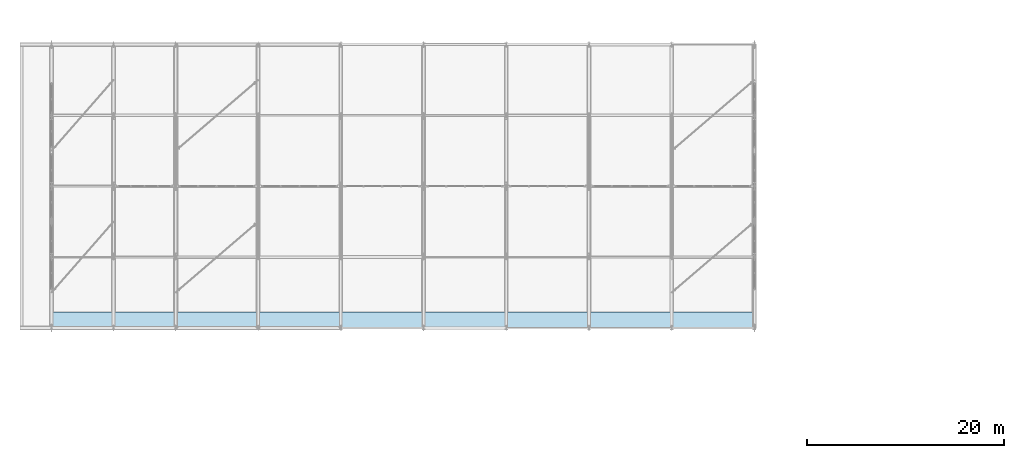
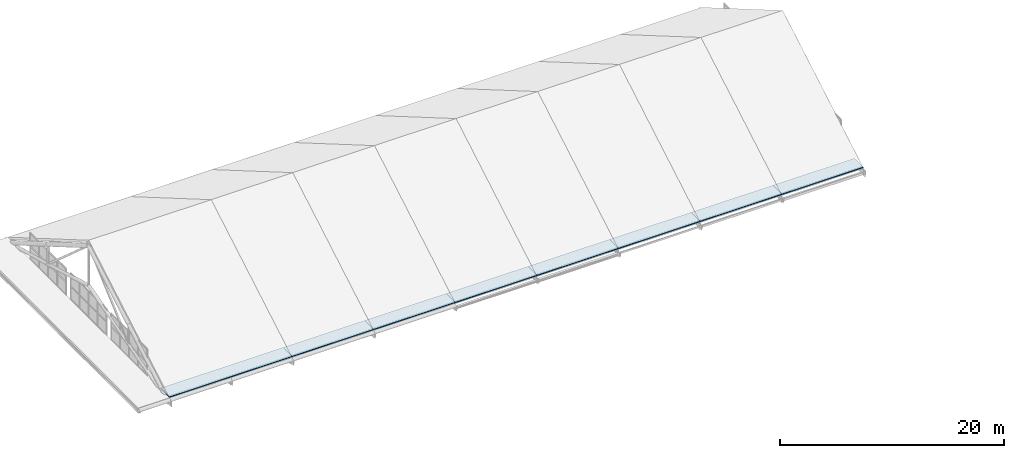
# One storey, part 53 of 54: 8 roofs.
"""IFC4 building model written with IfcOpenShell, lengths in metres."""

import ifcopenshell
import ifcopenshell.guid

model = None  # the IFC model being written
_history = None  # IfcOwnerHistory: only IFC2X3 demands one
_inside = {}  # id of a spatial element -> (the spatial element, [elements in it])
_under = {}  # id of a project, library or spatial element -> (it, [spatial elements below it])
_declared = {}  # id of a project -> (the project, [libraries it declares])
_typed = {}  # id of a type object -> (the type object, [elements of that type])
_made_of = {}  # id of a material, layer set ... -> (it, [elements and type objects made of it])


def new_model(schema):
    """Start an empty IFC model of exactly this schema.

    Asked for "IFC4X3", IfcOpenShell would pick the latest addendum, in which some entities
    have other attributes; the version numbers below select the first issue.
    IFC2X3 requires an IfcOwnerHistory on every rooted entity: one is made here for all.
    """
    global model, _history
    if schema == "IFC4X3":
        model = ifcopenshell.file(schema_version=(4, 3, 0, 0))
    else:
        model = ifcopenshell.file(schema=schema)
    _inside.clear()
    _under.clear()
    _declared.clear()
    _typed.clear()
    _made_of.clear()
    _history = None
    if model.schema == "IFC2X3":
        org = make("IfcOrganization", Name="unknown")
        user = make(
            "IfcPersonAndOrganization",
            ThePerson=make("IfcPerson", FamilyName="unknown"),
            TheOrganization=org,
        )
        app = make(
            "IfcApplication",
            ApplicationDeveloper=org,
            Version="unknown",
            ApplicationFullName="unknown",
            ApplicationIdentifier="unknown",
        )
        _history = make(
            "IfcOwnerHistory",
            OwningUser=user,
            OwningApplication=app,
            ChangeAction="ADDED",
            CreationDate=0,
        )
    return model


def make(cls, **values):
    """One entity of the class cls with the attributes given. An attribute that is None is left unset."""
    return model.create_entity(
        cls, **{name: value for name, value in values.items() if value is not None}
    )


def rooted(cls, **values):
    """An entity with a GlobalId (a new one), such as an element, a storey or a relation."""
    return make(cls, GlobalId=ifcopenshell.guid.new(), OwnerHistory=_history, **values)


def si_unit(unit_type, name, prefix=None):
    """IfcSIUnit, for example si_unit("LENGTHUNIT", "METRE", prefix="MILLI")."""
    return make("IfcSIUnit", UnitType=unit_type, Prefix=prefix, Name=name)


def assignment(units):
    """IfcUnitAssignment: the units of a project."""
    return None if units is None else make("IfcUnitAssignment", Units=units)


def point(xyz):
    """IfcCartesianPoint."""
    return None if xyz is None else make("IfcCartesianPoint", Coordinates=xyz)


def direction(xyz):
    """IfcDirection."""
    return None if xyz is None else make("IfcDirection", DirectionRatios=xyz)


def frame(location, z_axis=None, x_axis=None):
    """IfcAxis2Placement3D, a coordinate frame: its origin and axes. An axis left out is left unset."""
    return make(
        "IfcAxis2Placement3D",
        Location=point(location),
        Axis=direction(z_axis),
        RefDirection=direction(x_axis),
    )


def origin():
    """The frame at (0, 0, 0) with its axes left unset."""
    return frame((0.0, 0.0, 0.0))


def place(relative_to, where):
    """IfcLocalPlacement: puts the frame where relative to a parent placement (None: the world)."""
    return make(
        "IfcLocalPlacement", PlacementRelTo=relative_to, RelativePlacement=where
    )


def context(
    kind, dimensions, precision=None, world=None, true_north=None, identifier=None
):
    """IfcGeometricRepresentationContext, for example the 3D "Model" context."""
    return make(
        "IfcGeometricRepresentationContext",
        ContextIdentifier=identifier,
        ContextType=kind,
        CoordinateSpaceDimension=dimensions,
        Precision=precision,
        WorldCoordinateSystem=world,
        TrueNorth=true_north,
    )


def subcontext(parent, identifier, kind, view, scale=None):
    """IfcGeometricRepresentationSubContext, for example "Body" below "Model"."""
    return make(
        "IfcGeometricRepresentationSubContext",
        ContextIdentifier=identifier,
        ContextType=kind,
        ParentContext=parent,
        TargetScale=scale,
        TargetView=view,
    )


def project(units=None, contexts=None):
    """IfcProject with its units and contexts."""
    return rooted(
        "IfcProject",
        Name="project",
        RepresentationContexts=contexts,
        UnitsInContext=assignment(units),
    )


def spatial(cls, under=None, at=None, **own):
    """A site, building, storey or space (cls), placed at a placement, below another one or the project."""
    s = rooted(cls, ObjectPlacement=at, **own)
    if under is not None:
        _under.setdefault(under.id(), (under, []))[1].append(s)
    return s


def polyline(points):
    """IfcPolyline through the points."""
    return make("IfcPolyline", Points=[point(p) for p in points])


def outline(outer, holes=None, kind="AREA"):
    """IfcArbitraryClosedProfileDef: a profile drawn as a closed curve; with holes, ...WithVoids."""
    if holes is None:
        return make("IfcArbitraryClosedProfileDef", ProfileType=kind, OuterCurve=outer)
    return make(
        "IfcArbitraryProfileDefWithVoids",
        ProfileType=kind,
        OuterCurve=outer,
        InnerCurves=holes,
    )


def extrude(swept, where, along, depth):
    """IfcExtrudedAreaSolid: the profile swept, set in the frame where, extruded along a direction by depth."""
    return make(
        "IfcExtrudedAreaSolid",
        SweptArea=swept,
        Position=where,
        ExtrudedDirection=direction(along),
        Depth=depth,
    )


def shape(context_of_items, identifier, shape_type, items):
    """IfcShapeRepresentation: the items that make up one representation, for example the "Body"."""
    return make(
        "IfcShapeRepresentation",
        ContextOfItems=context_of_items,
        RepresentationIdentifier=identifier,
        RepresentationType=shape_type,
        Items=items,
    )


def material(Name=None, Category=None):
    """IfcMaterial."""
    return make("IfcMaterial", Name=Name, Category=Category)


def layer(
    of_material, thickness, ventilated=None, Name=None, Category=None, Priority=None
):
    """IfcMaterialLayer: one layer of a wall or slab, of a material (None: an air gap)."""
    return make(
        "IfcMaterialLayer",
        Material=of_material,
        LayerThickness=thickness,
        IsVentilated=ventilated,
        Name=Name,
        Category=Category,
        Priority=Priority,
    )


def layer_set(layers, Name=None):
    """IfcMaterialLayerSet."""
    return make("IfcMaterialLayerSet", MaterialLayers=layers, LayerSetName=Name)


def made_of(thing, what):
    """Note that an element or type object is made of a material, layer set ...; save() writes the relation."""
    if what is not None:
        _made_of.setdefault(what.id(), (what, []))[1].append(thing)
    return thing


def type_object(cls, material=None, **own):
    """A type object (cls), such as IfcWallType, which elements share."""
    return made_of(rooted(cls, **own), material)


def element(
    cls,
    number,
    at=None,
    inside=None,
    cuts=None,
    type_object=None,
    material=None,
    context=None,
    identifier="Body",
    shape_type=None,
    held_by="IfcProductDefinitionShape",
    body=None,
    shapes=None,
    **own,
):
    """One element of the class cls, such as IfcWall. Its Tag is "e" and its number.

    at: its placement. inside: the storey or other place that contains it. cuts: it is an
    opening in that element (IfcRelVoidsElement). A single representation is given by context,
    identifier, shape_type and body (its items); several are given by shapes. held_by: the class
    of the entity that holds the representations. save() writes the other relations.
    """
    e = rooted(cls, Tag="e%d" % number, ObjectPlacement=at, **own)
    if body is not None:
        shapes = [shape(context, identifier, shape_type, body)]
    if shapes is not None:
        e.Representation = make(held_by, Representations=shapes)
    if inside is not None:
        _inside.setdefault(inside.id(), (inside, []))[1].append(e)
    if cuts is not None:
        rooted(
            "IfcRelVoidsElement", RelatingBuildingElement=cuts, RelatedOpeningElement=e
        )
    if type_object is not None:
        _typed.setdefault(type_object.id(), (type_object, []))[1].append(e)
    return made_of(e, material)


def aggregate(whole, parts):
    """IfcRelAggregates: a whole, such as a stair, and the parts it consists of."""
    return rooted("IfcRelAggregates", RelatingObject=whole, RelatedObjects=parts)


def save(model, path):
    """Write the relations noted so far, then the file.

    IfcRelAggregates (storeys below a building ...), IfcRelContainedInSpatialStructure (elements
    in a storey), IfcRelDefinesByType, IfcRelAssociatesMaterial and IfcRelDeclares: one each for
    every whole, place, type object, material and project.
    """
    for whole, parts in _under.values():
        aggregate(whole, parts)
    for where, things in _inside.values():
        rooted(
            "IfcRelContainedInSpatialStructure",
            RelatedElements=things,
            RelatingStructure=where,
        )
    for kind, things in _typed.values():
        rooted("IfcRelDefinesByType", RelatedObjects=things, RelatingType=kind)
    for what, things in _made_of.values():
        rooted("IfcRelAssociatesMaterial", RelatedObjects=things, RelatingMaterial=what)
    for by, libraries in _declared.values():
        rooted("IfcRelDeclares", RelatingContext=by, RelatedDefinitions=libraries)
    model.write(path)


model = new_model("IFC4")

# Units and contexts
model_context = context("Model", 3, precision=1e-05, world=origin(), true_north=direction((0.0, 1.0)))
body_context = subcontext(model_context, "Body", "Model", "MODEL_VIEW")
ifc_project = project(units=[si_unit("LENGTHUNIT", "METRE"), si_unit("AREAUNIT", "SQUARE_METRE"), si_unit("VOLUMEUNIT", "CUBIC_METRE"), si_unit("PLANEANGLEUNIT", "RADIAN"), si_unit("MASSUNIT", "GRAM", prefix="KILO")], contexts=[model_context])

# Site, building, storey
site_placement = place(None, origin())
site = spatial("IfcSite", under=ifc_project, at=site_placement, CompositionType="ELEMENT")
building_placement = place(site_placement, origin())
building = spatial("IfcBuilding", under=site, at=building_placement, Name="Zulmaris Art Gallery", CompositionType="ELEMENT")
storey_placement = place(building_placement, frame((0.0, 0.0, 26.39990234375)))
storey = spatial("IfcBuildingStorey", under=building, at=storey_placement, Name="L05", CompositionType="ELEMENT", Elevation=26.39990234375)

# Roofs
ifc_material = material(Name="Standing-Seam Patinated Bronze Roofing", Category="aluminium")
ifc_layer = layer(ifc_material, 0.080078125)
ifc_layer_set = layer_set([ifc_layer], Name="Standing-Seam Patinated Bronze Roofing")
roof_type = type_object("IfcRoofType", Name="ROOF-RF-GAB", PredefinedType="GABLE_ROOF", material=ifc_layer_set)
roof_1_placement = place(storey_placement, origin())
element("IfcRoof", 1, at=roof_1_placement, inside=storey, type_object=roof_type, Name="V1 Gable Eaves Bronze Standing-Seam Roof 1", PredefinedType="GABLE_ROOF", context=body_context, shape_type="SweptSolid", body=[
    extrude(outline(polyline([(11.39990234375, 21.60009765625), (24.0, 21.60009765625), (24.0, 23.199951171875), (11.39990234375, 23.199951171875), (11.39990234375, 21.60009765625)])), origin(), (0.0, 0.0, 1.0), 0.080078125),
])
roof_2_placement = place(storey_placement, origin())
element("IfcRoof", 2, at=roof_2_placement, inside=storey, type_object=roof_type, Name="V1 Gable Eaves Bronze Standing-Seam Roof 2", PredefinedType="GABLE_ROOF", context=body_context, shape_type="SweptSolid", body=[
    extrude(outline(polyline([(24.0, 21.60009765625), (32.39990234375, 21.60009765625), (32.39990234375, 23.199951171875), (24.0, 23.199951171875), (24.0, 21.60009765625)])), origin(), (0.0, 0.0, 1.0), 0.080078125),
])
roof_3_placement = place(storey_placement, origin())
element("IfcRoof", 3, at=roof_3_placement, inside=storey, type_object=roof_type, Name="V1 Gable Eaves Bronze Standing-Seam Roof 3", PredefinedType="GABLE_ROOF", context=body_context, shape_type="SweptSolid", body=[
    extrude(outline(polyline([(32.39990234375, 21.60009765625), (40.800048828125, 21.60009765625), (40.800048828125, 23.199951171875), (32.39990234375, 23.199951171875), (32.39990234375, 21.60009765625)])), origin(), (0.0, 0.0, 1.0), 0.080078125),
])
roof_4_placement = place(storey_placement, origin())
element("IfcRoof", 4, at=roof_4_placement, inside=storey, type_object=roof_type, Name="V1 Gable Eaves Bronze Standing-Seam Roof 4", PredefinedType="GABLE_ROOF", context=body_context, shape_type="SweptSolid", body=[
    extrude(outline(polyline([(40.800048828125, 21.60009765625), (49.199951171875, 21.60009765625), (49.199951171875, 23.199951171875), (40.800048828125, 23.199951171875), (40.800048828125, 21.60009765625)])), origin(), (0.0, 0.0, 1.0), 0.080078125),
])
roof_5_placement = place(storey_placement, origin())
element("IfcRoof", 5, at=roof_5_placement, inside=storey, type_object=roof_type, Name="V1 Gable Eaves Bronze Standing-Seam Roof 5", PredefinedType="GABLE_ROOF", context=body_context, shape_type="SweptSolid", body=[
    extrude(outline(polyline([(49.199951171875, 21.60009765625), (57.60009765625, 21.60009765625), (57.60009765625, 23.199951171875), (49.199951171875, 23.199951171875), (49.199951171875, 21.60009765625)])), origin(), (0.0, 0.0, 1.0), 0.080078125),
])
roof_6_placement = place(storey_placement, origin())
element("IfcRoof", 6, at=roof_6_placement, inside=storey, type_object=roof_type, Name="V1 Gable Eaves Bronze Standing-Seam Roof 6", PredefinedType="GABLE_ROOF", context=body_context, shape_type="SweptSolid", body=[
    extrude(outline(polyline([(57.60009765625, 21.60009765625), (66.0, 21.60009765625), (66.0, 23.199951171875), (57.60009765625, 23.199951171875), (57.60009765625, 21.60009765625)])), origin(), (0.0, 0.0, 1.0), 0.080078125),
])
roof_7_placement = place(storey_placement, origin())
element("IfcRoof", 7, at=roof_7_placement, inside=storey, type_object=roof_type, Name="V1 Gable Eaves Bronze Standing-Seam Roof 7", PredefinedType="GABLE_ROOF", context=body_context, shape_type="SweptSolid", body=[
    extrude(outline(polyline([(66.0, 21.60009765625), (74.39990234375, 21.60009765625), (74.39990234375, 23.199951171875), (66.0, 23.199951171875), (66.0, 21.60009765625)])), origin(), (0.0, 0.0, 1.0), 0.080078125),
])
roof_8_placement = place(storey_placement, origin())
element("IfcRoof", 8, at=roof_8_placement, inside=storey, type_object=roof_type, Name="V1 Gable Eaves Bronze Standing-Seam Roof 8", PredefinedType="GABLE_ROOF", context=body_context, shape_type="SweptSolid", body=[
    extrude(outline(polyline([(74.39990234375, 21.60009765625), (82.800048828125, 21.60009765625), (82.800048828125, 23.199951171875), (74.39990234375, 23.199951171875), (74.39990234375, 21.60009765625)])), origin(), (0.0, 0.0, 1.0), 0.080078125),
])

save(model, "model.ifc")
